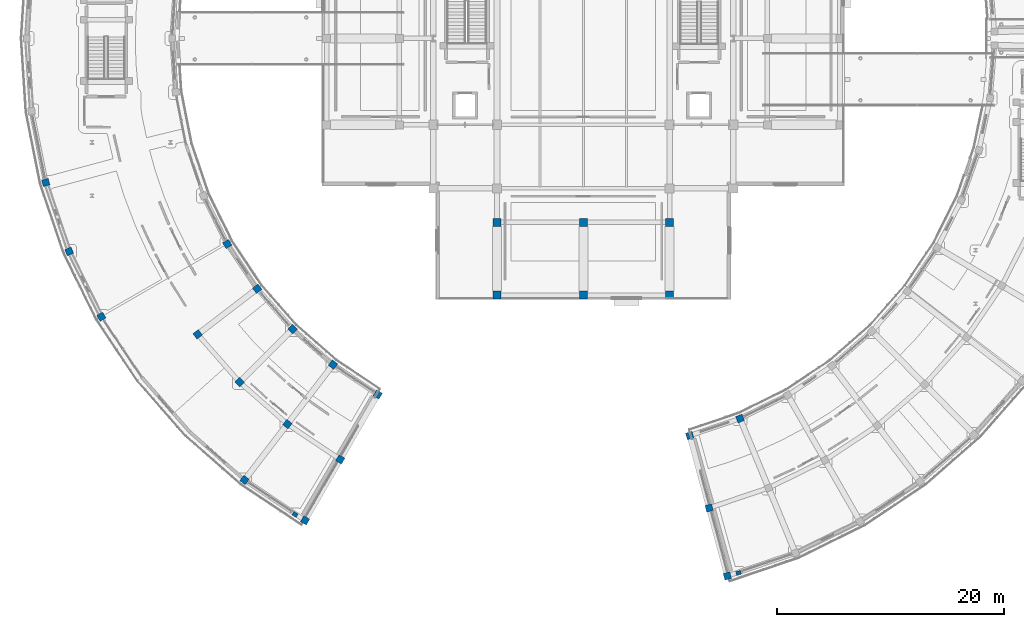
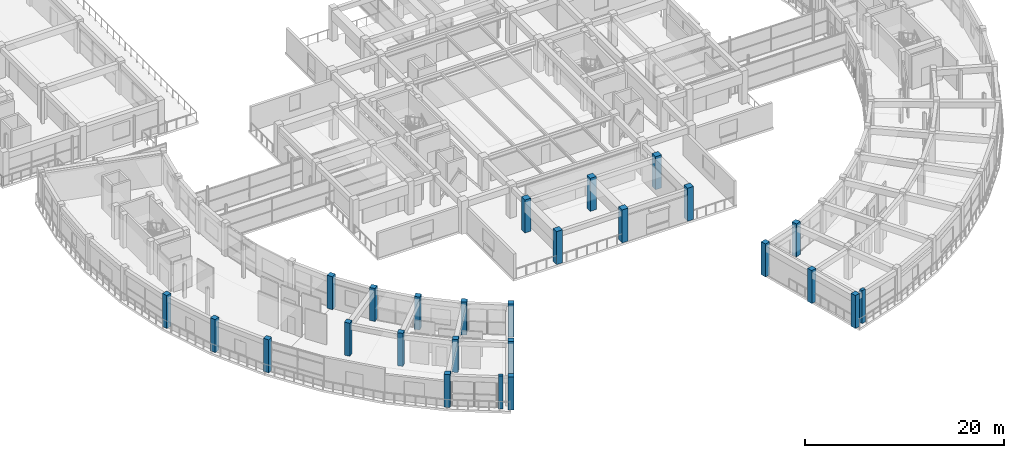
# One storey, part 1 of 70: 26 columns.
"""IFC4 building model written with IfcOpenShell, lengths in metres."""

from ifc_helpers import new_model, si_unit, direction, frame, origin, origin_2d, place, context, subcontext, project, spatial, rectangle, extrude, material, material_profile, profile_set, type_object, element, save


model = new_model("IFC4")

# Units and contexts
model_context = context("Model", 3, precision=1e-05, world=origin(), true_north=direction((0.0, 1.0)))
body_context = subcontext(model_context, "Body", "Model", "MODEL_VIEW")
ifc_project = project(units=[si_unit("LENGTHUNIT", "METRE"), si_unit("AREAUNIT", "SQUARE_METRE"), si_unit("VOLUMEUNIT", "CUBIC_METRE"), si_unit("PLANEANGLEUNIT", "RADIAN"), si_unit("MASSUNIT", "GRAM", prefix="KILO")], contexts=[model_context])

# Site, building, storey
site_placement = place(None, origin())
site = spatial("IfcSite", under=ifc_project, at=site_placement, CompositionType="ELEMENT")
building_placement = place(site_placement, origin())
building = spatial("IfcBuilding", under=site, at=building_placement, Name="Saryqyr Civic Hall", CompositionType="ELEMENT")
storey_placement = place(building_placement, frame((0.0, 0.0, 13.199951171875)))
storey = spatial("IfcBuildingStorey", under=building, at=storey_placement, Name="L03", CompositionType="ELEMENT", Elevation=13.199951171875)

# Columns
ifc_material_1 = material(Name="Concrete C40/50", Category="concrete")
ifc_material_profile_1 = material_profile(ifc_material_1, rectangle(XDim=0.60009765625, YDim=0.60009765625, at=origin_2d()), Name="RC 600x600")
ifc_profile_set_1 = profile_set([ifc_material_profile_1], Name="Concrete C40/50")
column_type_1 = type_object("IfcColumnType", Name="STR-COL-RC600-C40", PredefinedType="COLUMN", material=ifc_profile_set_1)
for number, where, z_axis, x_axis, name in (
    (1, (9.669677734375, 71.31787109375, 0.0), (0.0, 0.0, 1.0), (-0.965925826289, -0.258819045103, 0.0), "Column V4-COL-OUT04-L03"),
    (2, (11.72998046875, 65.24853515625, 0.0), (0.0, 0.0, 1.0), (-0.923879532511, -0.382683432365, 0.0), "Column V4-COL-OUT05-L03"),
    (3, (25.64990234375, 65.89990234375, 0.0), (0.0, 0.0, 1.0), (-0.866025403784, -0.5, 0.0), "Column V4-COL-IN06-L03"),
    (4, (14.564697265625, 59.5, 0.0), (0.0, 0.0, 1.0), (-0.866025403784, -0.5, 0.0), "Column V4-COL-OUT06-L03"),
    (5, (28.280517578125, 61.962890625, 0.0), (0.0, 0.0, 1.0), (-0.793353340291, -0.608761429009, 0.0), "Column V4-COL-IN07-L03"),
    (6, (23.04443359375, 57.945068359375, 0.0), (0.0, 0.0, 1.0), (-0.793353340291, -0.608761429009, 0.0), "Column V4-COL-MID07-L03"),
    (7, (31.402587890625, 58.402587890625, 0.0), (0.0, 0.0, 1.0), (-0.707106781187, -0.707106781187, 0.0), "Column V4-COL-IN08-L03"),
    (8, (26.73583984375, 53.73583984375, 0.0), (0.0, 0.0, 1.0), (-0.707106781187, -0.707106781187, 0.0), "Column V4-COL-MID08-L03"),
    (9, (34.962890625, 55.280517578125, 0.0), (0.0, 0.0, 1.0), (-0.608761429009, -0.793353340291, 0.0), "Column V4-COL-IN09-L03"),
    (10, (30.945068359375, 50.04443359375, 0.0), (0.0, 0.0, 1.0), (-0.608761429009, -0.793353340291, 0.0), "Column V4-COL-MID09-L03"),
    (11, (27.170654296875, 45.125732421875, 0.0), (0.0, 0.0, 1.0), (-0.608761429009, -0.793353340291, 0.0), "Column V4-COL-OUT09-L03"),
    (12, (38.89990234375, 52.64990234375, 0.0), (0.0, 0.0, 1.0), (-0.5, -0.866025403784, 0.0), "Column V4-COL-IN10-L03"),
    (13, (35.60009765625, 46.93408203125, 0.0), (0.0, 0.0, 1.0), (-0.5, -0.866025403784, 0.0), "Column V4-COL-MID10-L03"),
    (14, (32.5, 41.564697265625, 0.0), (0.0, 0.0, 1.0), (-0.5, -0.866025403784, 0.0), "Column V4-COL-OUT10-L03"),
    (15, (66.369140625, 49.033447265625, 0.0), (0.0, 0.0, 1.0), (0.258819045103, -0.965925826289, 0.0), "Column V5-COL-IN00-L03"),
    (16, (68.077392578125, 42.658447265625, 0.0), (0.0, 0.0, 1.0), (0.258819045103, -0.965925826289, 0.0), "Column V5-COL-MID00-L03"),
    (17, (69.68212890625, 36.669677734375, 0.0), (0.0, 0.0, 1.0), (0.258819045103, -0.965925826289, 0.0), "Column V5-COL-OUT00-L03"),
    (18, (70.797607421875, 50.53271484375, 0.0), (0.0, 0.0, 1.0), (0.38107037635, -0.924546033612, 0.0), "Column V5-COL-IN01-L03"),
):
    element("IfcColumn", number, at=place(storey_placement, frame(where, z_axis=z_axis, x_axis=x_axis)), inside=storey, type_object=column_type_1, Name=name, PredefinedType="COLUMN", context=body_context, shape_type="SweptSolid", body=[
        extrude(rectangle(XDim=0.60009765625, YDim=0.60009765625, at=origin_2d()), origin(), (0.0, 0.0, 1.0), 4.050048828125),
    ])
ifc_material_profile_2 = material_profile(ifc_material_1, rectangle(XDim=0.699951171875, YDim=0.699951171875, at=origin_2d()), Name="RC 700x700")
ifc_profile_set_2 = profile_set([ifc_material_profile_2], Name="Concrete C40/50")
column_type_2 = type_object("IfcColumnType", Name="STR-COL-RC700-C40", PredefinedType="COLUMN", material=ifc_profile_set_2)
for number, where, z_axis, x_axis, name in (
    (19, (49.39990234375, 67.800048828125, 0.0), (0.0, 0.0, 1.0), (1.0, 0.0, 0.0), "Column V1-COL-S3P07-L03"),
    (20, (57.0, 67.800048828125, 0.0), (0.0, 0.0, 1.0), (1.0, 0.0, 0.0), "Column V1-COL-S3P08-L03"),
    (21, (64.60009765625, 67.800048828125, 0.0), (0.0, 0.0, 1.0), (1.0, 0.0, 0.0), "Column V1-COL-S3P09-L03"),
    (22, (49.39990234375, 61.39990234375, 0.0), (0.0, 0.0, 1.0), (1.0, 0.0, 0.0), "Column V1-COL-S1P07-L03"),
    (23, (57.0, 61.39990234375, 0.0), (0.0, 0.0, 1.0), (1.0, 0.0, 0.0), "Column V1-COL-S1P08-L03"),
    (24, (64.60009765625, 61.39990234375, 0.0), (0.0, 0.0, 1.0), (1.0, 0.0, 0.0), "Column V1-COL-S1P09-L03"),
):
    element("IfcColumn", number, at=place(storey_placement, frame(where, z_axis=z_axis, x_axis=x_axis)), inside=storey, type_object=column_type_2, Name=name, PredefinedType="COLUMN", context=body_context, shape_type="SweptSolid", body=[
        extrude(rectangle(XDim=0.699951171875, YDim=0.699951171875, at=origin_2d()), origin(), (0.0, 0.0, 1.0), 4.050048828125),
    ])
ifc_material_2 = material(Name="Concrete C35/45", Category="concrete")
ifc_material_profile_3 = material_profile(ifc_material_2, rectangle(XDim=0.35009765625, YDim=0.449951171875, at=origin_2d()), Name="RC 350x450")
ifc_profile_set_3 = profile_set([ifc_material_profile_3], Name="Concrete C35/45")
column_type_3 = type_object("IfcColumnType", Name="STR-PIL-RC350x450-EXT", PredefinedType="PILASTER", material=ifc_profile_set_3)
for number, where, z_axis, x_axis, name in (
    (25, (31.61669921875, 42.087158203125, 0.0), (0.0, 0.0, 1.0), (-0.5, -0.866025403784, 0.0), "Column V4-PIL-10-L03"),
    (26, (70.670654296875, 36.945556640625, 0.0), (0.0, 0.0, 1.0), (0.258819045103, -0.965925826289, 0.0), "Column V5-PIL-00-L03"),
):
    element("IfcColumn", number, at=place(storey_placement, frame(where, z_axis=z_axis, x_axis=x_axis)), inside=storey, type_object=column_type_3, Name=name, PredefinedType="PILASTER", context=body_context, shape_type="SweptSolid", body=[
        extrude(rectangle(XDim=0.35009765625, YDim=0.449951171875, at=origin_2d()), origin(), (0.0, 0.0, 1.0), 4.050048828125),
    ])

save(model, "model.ifc")
